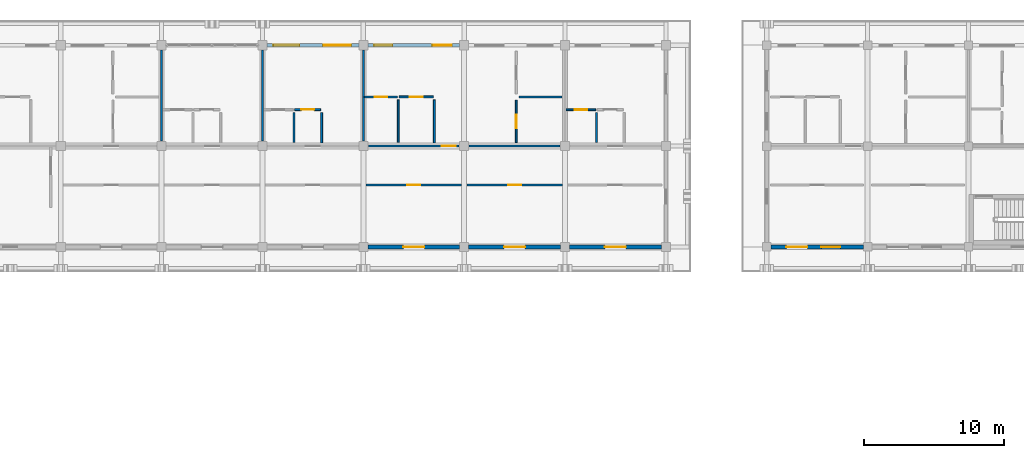
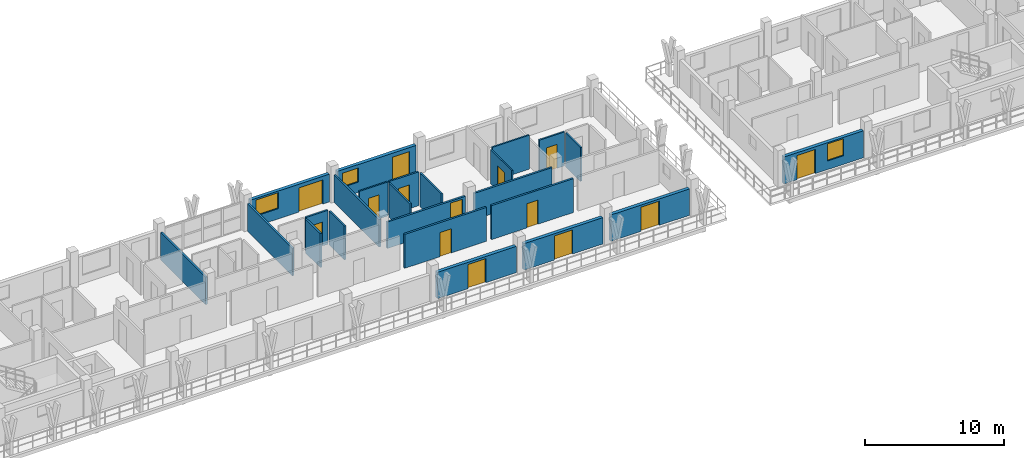
# One storey, part 49 of 76: 24 walls, 14 doors, 3 windows, 17 openings.
"""IFC4 building model written with IfcOpenShell, lengths in metres."""

from ifc_helpers import new_model, si_unit, direction, frame, frame_2d, origin, place, context, subcontext, project, spatial, rectangle, extrude, material, layer, layer_set, type_object, element, fill, save


model = new_model("IFC4")

# Units and contexts
model_context = context("Model", 3, precision=1e-05, world=origin(), true_north=direction((0.0, 1.0)))
body_context = subcontext(model_context, "Body", "Model", "MODEL_VIEW")
ifc_project = project(units=[si_unit("LENGTHUNIT", "METRE"), si_unit("AREAUNIT", "SQUARE_METRE"), si_unit("VOLUMEUNIT", "CUBIC_METRE"), si_unit("PLANEANGLEUNIT", "RADIAN"), si_unit("MASSUNIT", "GRAM", prefix="KILO")], contexts=[model_context])

# Site, building, storey
site_placement = place(None, origin())
site = spatial("IfcSite", under=ifc_project, at=site_placement, CompositionType="ELEMENT")
building_placement = place(site_placement, origin())
building = spatial("IfcBuilding", under=site, at=building_placement, Name="Suanplinth Sawtooth Commons", CompositionType="ELEMENT")
storey_placement = place(building_placement, frame((0.0, 0.0, 12.199951171875)))
storey = spatial("IfcBuildingStorey", under=building, at=storey_placement, Name="L03", CompositionType="ELEMENT", Elevation=12.199951171875)

# Wall, openings, door, window
ifc_material_1 = material(Name="Precast concrete C40/50", Category="concrete")
ifc_layer_1 = layer(ifc_material_1, 0.280029296875, Name="Insulated precast architectural facade wall 280mm")
ifc_layer_set_1 = layer_set([ifc_layer_1], Name="Precast concrete C40/50")
wall_type_1 = type_object("IfcWallType", Name="W-EX01", PredefinedType="ELEMENTEDWALL", material=ifc_layer_set_1)
wall_1_placement = place(storey_placement, frame((86.72509765625, 122.39990234375, 0.0), z_axis=(0.0, 0.0, 1.0), x_axis=(1.0, 0.0, 0.0)))
wall_1 = element("IfcWall", 1, at=wall_1_placement, inside=storey, type_object=wall_type_1, Name="Facade Wall W-L03-A-N-12", PredefinedType="ELEMENTEDWALL", context=body_context, shape_type="SweptSolid", body=[
    extrude(rectangle(XDim=6.5498046875, YDim=0.280029296875, at=frame_2d((3.27490234375, 0.0))), origin(), (0.0, 0.0, 1.0), 2.445068359375),
])
opening_1_placement = place(wall_1_placement, frame((4.0, 0.0, 0.0)))
opening_1 = element("IfcOpeningElement", 2, at=opening_1_placement, cuts=wall_1, Name="Opening ED0235", PredefinedType="OPENING", context=body_context, shape_type="SweptSolid", body=[
    extrude(rectangle(XDim=2.0, YDim=2.1201171875, at=frame_2d((1.0, 1.06005859375))), frame((0.0, 0.15478515625, 0.0), z_axis=(0.0, -1.0, 0.0), x_axis=(1.0, 0.0, 0.0)), (0.0, 0.0, 1.0), 0.309814453125),
])
opening_2_placement = place(wall_1_placement, frame((0.449951171875, 0.0, 0.89990234375)))
opening_2 = element("IfcOpeningElement", 3, at=opening_2_placement, cuts=wall_1, Name="Opening W0344", PredefinedType="OPENING", context=body_context, shape_type="SweptSolid", body=[
    extrude(rectangle(XDim=1.85009765625, YDim=1.39990234375, at=frame_2d((0.925048828125, 0.699951171875))), frame((0.0, 0.15478515625, 0.0), z_axis=(0.0, -1.0, 0.0), x_axis=(1.0, 0.0, 0.0)), (0.0, 0.0, 1.0), 0.309814453125),
])
ifc_material_2 = material(Name="Anodized aluminium and low-E glass", Category="aluminium")
door_type_1 = type_object("IfcDoorType", Name="SD-06", OperationType="DOUBLE_DOOR_SLIDING", PredefinedType="DOOR", material=ifc_material_2)
door_1_placement = place(opening_1_placement, frame((2.0, 0.0, 0.0), z_axis=(0.0, 0.0, 1.0), x_axis=(-1.0, 0.0, 0.0)))
door_1 = element("IfcDoor", 4, at=door_1_placement, inside=storey, type_object=door_type_1, Name="Balcony Sliding Door L03-A-N-12", OperationType="DOUBLE_DOOR_SLIDING", OverallHeight=2.1201171875, OverallWidth=2.0, PredefinedType="DOOR", context=body_context, shape_type="SweptSolid", body=[
    extrude(rectangle(XDim=2.0, YDim=2.1201171875, at=frame_2d((1.0, 1.06005859375))), frame((0.0, 0.02490234375, 0.0), z_axis=(0.0, -1.0, 0.0), x_axis=(1.0, 0.0, 0.0)), (0.0, 0.0, 1.0), 0.050048828125),
])
fill(opening_1, door_1)
ifc_material_3 = material(Name="Thermally broken aluminium and low-E double glazing", Category="aluminium")
window_type_1 = type_object("IfcWindowType", Name="WN-23", PartitioningType="DOUBLE_PANEL_VERTICAL", PredefinedType="WINDOW", material=ifc_material_3)
window_1_placement = place(opening_2_placement, origin())
window_1 = element("IfcWindow", 5, at=window_1_placement, inside=storey, type_object=window_type_1, Name="Window L03-A-N-12", OverallHeight=1.39990234375, OverallWidth=1.85009765625, PartitioningType="DOUBLE_PANEL_VERTICAL", PredefinedType="WINDOW", context=body_context, shape_type="SweptSolid", body=[
    extrude(rectangle(XDim=1.85009765625, YDim=1.39990234375, at=frame_2d((0.925048828125, 0.699951171875))), frame((0.0, 0.030029296875, 0.0), z_axis=(0.0, -1.0, 0.0), x_axis=(1.0, 0.0, 0.0)), (0.0, 0.0, 1.0), 0.06005859375),
])
fill(opening_2, window_1)

wall_2_placement = place(storey_placement, frame((93.925048828125, 122.39990234375, 0.0), z_axis=(0.0, 0.0, 1.0), x_axis=(1.0, 0.0, 0.0)))
wall_2 = element("IfcWall", 6, at=wall_2_placement, inside=storey, type_object=wall_type_1, Name="Facade Wall W-L03-A-N-13", PredefinedType="ELEMENTEDWALL", context=body_context, shape_type="SweptSolid", body=[
    extrude(rectangle(XDim=6.550048828125, YDim=0.280029296875, at=frame_2d((3.27490234375, 0.0))), origin(), (0.0, 0.0, 1.0), 2.445068359375),
])
opening_3_placement = place(wall_2_placement, frame((4.60009765625, 0.0, 0.0)))
opening_3 = element("IfcOpeningElement", 7, at=opening_3_placement, cuts=wall_2, Name="Opening ED0237", PredefinedType="OPENING", context=body_context, shape_type="SweptSolid", body=[
    extrude(rectangle(XDim=1.39990234375, YDim=2.10009765625, at=frame_2d((0.699951171875, 1.050048828125))), frame((0.0, 0.15478515625, 0.0), z_axis=(0.0, -1.0, 0.0), x_axis=(1.0, 0.0, 0.0)), (0.0, 0.0, 1.0), 0.309814453125),
])
opening_4_placement = place(wall_2_placement, frame((0.449951171875, 0.0, 0.89990234375)))
opening_4 = element("IfcOpeningElement", 8, at=opening_4_placement, cuts=wall_2, Name="Opening W0345", PredefinedType="OPENING", context=body_context, shape_type="SweptSolid", body=[
    extrude(rectangle(XDim=1.300048828125, YDim=1.25, at=frame_2d((0.64990234375, 0.625))), frame((0.0, 0.15478515625, 0.0), z_axis=(0.0, -1.0, 0.0), x_axis=(1.0, 0.0, 0.0)), (0.0, 0.0, 1.0), 0.309814453125),
])
door_type_2 = type_object("IfcDoorType", Name="SD-07", OperationType="SLIDING_TO_RIGHT", PredefinedType="DOOR", material=ifc_material_2)
door_2_placement = place(opening_3_placement, frame((1.39990234375, 0.0, 0.0), z_axis=(0.0, 0.0, 1.0), x_axis=(-1.0, 0.0, 0.0)))
door_2 = element("IfcDoor", 9, at=door_2_placement, inside=storey, type_object=door_type_2, Name="Balcony Sliding Door L03-A-N-13", OperationType="SLIDING_TO_RIGHT", OverallHeight=2.10009765625, OverallWidth=1.39990234375, PredefinedType="DOOR", context=body_context, shape_type="SweptSolid", body=[
    extrude(rectangle(XDim=1.39990234375, YDim=2.10009765625, at=frame_2d((0.699951171875, 1.050048828125))), frame((0.0, 0.02490234375, 0.0), z_axis=(0.0, -1.0, 0.0), x_axis=(1.0, 0.0, 0.0)), (0.0, 0.0, 1.0), 0.050048828125),
])
fill(opening_3, door_2)
window_type_2 = type_object("IfcWindowType", Name="WN-24", PartitioningType="SINGLE_PANEL", PredefinedType="WINDOW", material=ifc_material_3)
window_2_placement = place(opening_4_placement, origin())
window_2 = element("IfcWindow", 10, at=window_2_placement, inside=storey, type_object=window_type_2, Name="Window L03-A-N-13", OverallHeight=1.25, OverallWidth=1.300048828125, PartitioningType="SINGLE_PANEL", PredefinedType="WINDOW", context=body_context, shape_type="SweptSolid", body=[
    extrude(rectangle(XDim=1.300048828125, YDim=1.25, at=frame_2d((0.64990234375, 0.625))), frame((0.0, 0.030029296875, 0.0), z_axis=(0.0, -1.0, 0.0), x_axis=(1.0, 0.0, 0.0)), (0.0, 0.0, 1.0), 0.06005859375),
])
fill(opening_4, window_2)

# Wall, opening, door
wall_3_placement = place(storey_placement, frame((93.925048828125, 108.0, 0.0), z_axis=(0.0, 0.0, 1.0), x_axis=(1.0, 0.0, 0.0)))
wall_3 = element("IfcWall", 11, at=wall_3_placement, inside=storey, type_object=wall_type_1, Name="Courtyard Wall W-L03-A-S-13", PredefinedType="ELEMENTEDWALL", context=body_context, shape_type="SweptSolid", body=[
    extrude(rectangle(XDim=6.550048828125, YDim=0.280029296875, at=frame_2d((3.27490234375, 0.0))), origin(), (0.0, 0.0, 1.0), 2.31494140625),
])
opening_5_placement = place(wall_3_placement, frame((2.52490234375, 0.0, 0.0)))
opening_5 = element("IfcOpeningElement", 12, at=opening_5_placement, cuts=wall_3, Name="Opening ED0238", PredefinedType="OPENING", context=body_context, shape_type="SweptSolid", body=[
    extrude(rectangle(XDim=1.5, YDim=2.1201171875, at=frame_2d((0.75, 1.06005859375))), frame((0.0, 0.15478515625, 0.0), z_axis=(0.0, -1.0, 0.0), x_axis=(1.0, 0.0, 0.0)), (0.0, 0.0, 1.0), 0.309814453125),
])
door_type_3 = type_object("IfcDoorType", Name="SD-03", OperationType="SLIDING_TO_LEFT", PredefinedType="DOOR", material=ifc_material_2)
door_3_placement = place(opening_5_placement, frame((1.5, 0.0, 0.0), z_axis=(0.0, 0.0, 1.0), x_axis=(-1.0, 0.0, 0.0)))
door_3 = element("IfcDoor", 13, at=door_3_placement, inside=storey, type_object=door_type_3, Name="Courtyard Balcony Sliding Door L03-A-S-13", OperationType="SLIDING_TO_LEFT", OverallHeight=2.1201171875, OverallWidth=1.5, PredefinedType="DOOR", context=body_context, shape_type="SweptSolid", body=[
    extrude(rectangle(XDim=1.5, YDim=2.1201171875, at=frame_2d((0.75, 1.06005859375))), frame((0.0, 0.02490234375, 0.0), z_axis=(0.0, -1.0, 0.0), x_axis=(1.0, 0.0, 0.0)), (0.0, 0.0, 1.0), 0.050048828125),
])
fill(opening_5, door_3)

wall_4_placement = place(storey_placement, frame((101.125, 108.0, 0.0), z_axis=(0.0, 0.0, 1.0), x_axis=(1.0, 0.0, 0.0)))
wall_4 = element("IfcWall", 14, at=wall_4_placement, inside=storey, type_object=wall_type_1, Name="Courtyard Wall W-L03-A-S-14", PredefinedType="ELEMENTEDWALL", context=body_context, shape_type="SweptSolid", body=[
    extrude(rectangle(XDim=6.550048828125, YDim=0.280029296875, at=frame_2d((3.27490234375, 0.0))), origin(), (0.0, 0.0, 1.0), 2.31494140625),
])
opening_6_placement = place(wall_4_placement, frame((2.52490234375, 0.0, 0.0)))
opening_6 = element("IfcOpeningElement", 15, at=opening_6_placement, cuts=wall_4, Name="Opening ED0240", PredefinedType="OPENING", context=body_context, shape_type="SweptSolid", body=[
    extrude(rectangle(XDim=1.5, YDim=2.1201171875, at=frame_2d((0.75, 1.06005859375))), frame((0.0, 0.15478515625, 0.0), z_axis=(0.0, -1.0, 0.0), x_axis=(1.0, 0.0, 0.0)), (0.0, 0.0, 1.0), 0.309814453125),
])
door_4_placement = place(opening_6_placement, frame((1.5, 0.0, 0.0), z_axis=(0.0, 0.0, 1.0), x_axis=(-1.0, 0.0, 0.0)))
door_4 = element("IfcDoor", 16, at=door_4_placement, inside=storey, type_object=door_type_3, Name="Courtyard Balcony Sliding Door L03-A-S-14", OperationType="SLIDING_TO_LEFT", OverallHeight=2.1201171875, OverallWidth=1.5, PredefinedType="DOOR", context=body_context, shape_type="SweptSolid", body=[
    extrude(rectangle(XDim=1.5, YDim=2.1201171875, at=frame_2d((0.75, 1.06005859375))), frame((0.0, 0.02490234375, 0.0), z_axis=(0.0, -1.0, 0.0), x_axis=(1.0, 0.0, 0.0)), (0.0, 0.0, 1.0), 0.050048828125),
])
fill(opening_6, door_4)

wall_5_placement = place(storey_placement, frame((108.324951171875, 108.0, 0.0), z_axis=(0.0, 0.0, 1.0), x_axis=(1.0, 0.0, 0.0)))
wall_5 = element("IfcWall", 17, at=wall_5_placement, inside=storey, type_object=wall_type_1, Name="Courtyard Wall W-L03-A-S-15", PredefinedType="ELEMENTEDWALL", context=body_context, shape_type="SweptSolid", body=[
    extrude(rectangle(XDim=6.550048828125, YDim=0.280029296875, at=frame_2d((3.27490234375, 0.0))), origin(), (0.0, 0.0, 1.0), 2.31494140625),
])
opening_7_placement = place(wall_5_placement, frame((2.52490234375, 0.0, 0.0)))
opening_7 = element("IfcOpeningElement", 18, at=opening_7_placement, cuts=wall_5, Name="Opening ED0242", PredefinedType="OPENING", context=body_context, shape_type="SweptSolid", body=[
    extrude(rectangle(XDim=1.5, YDim=2.1201171875, at=frame_2d((0.75, 1.06005859375))), frame((0.0, 0.15478515625, 0.0), z_axis=(0.0, -1.0, 0.0), x_axis=(1.0, 0.0, 0.0)), (0.0, 0.0, 1.0), 0.309814453125),
])
door_5_placement = place(opening_7_placement, frame((1.5, 0.0, 0.0), z_axis=(0.0, 0.0, 1.0), x_axis=(-1.0, 0.0, 0.0)))
door_5 = element("IfcDoor", 19, at=door_5_placement, inside=storey, type_object=door_type_3, Name="Courtyard Balcony Sliding Door L03-A-S-15", OperationType="SLIDING_TO_LEFT", OverallHeight=2.1201171875, OverallWidth=1.5, PredefinedType="DOOR", context=body_context, shape_type="SweptSolid", body=[
    extrude(rectangle(XDim=1.5, YDim=2.1201171875, at=frame_2d((0.75, 1.06005859375))), frame((0.0, 0.02490234375, 0.0), z_axis=(0.0, -1.0, 0.0), x_axis=(1.0, 0.0, 0.0)), (0.0, 0.0, 1.0), 0.050048828125),
])
fill(opening_7, door_5)

# Wall, openings, door, window
wall_6_placement = place(storey_placement, frame((122.699951171875, 108.0, 0.0), z_axis=(0.0, 0.0, 1.0), x_axis=(1.0, 0.0, 0.0)))
wall_6 = element("IfcWall", 20, at=wall_6_placement, inside=storey, type_object=wall_type_1, Name="Facade Wall W-L03-B-S-17-15", PredefinedType="ELEMENTEDWALL", context=body_context, shape_type="SweptSolid", body=[
    extrude(rectangle(XDim=6.60009765625, YDim=0.280029296875, at=frame_2d((3.300048828125, 0.0))), origin(), (0.0, 0.0, 1.0), 2.364990234375),
])
opening_8_placement = place(wall_6_placement, frame((1.10009765625, 0.0, 0.0)))
opening_8 = element("IfcOpeningElement", 21, at=opening_8_placement, cuts=wall_6, Name="Opening ED0245", PredefinedType="OPENING", context=body_context, shape_type="SweptSolid", body=[
    extrude(rectangle(XDim=1.5, YDim=2.1201171875, at=frame_2d((0.75, 1.06005859375))), frame((0.0, 0.15478515625, 0.0), z_axis=(0.0, -1.0, 0.0), x_axis=(1.0, 0.0, 0.0)), (0.0, 0.0, 1.0), 0.309814453125),
])
opening_9_placement = place(wall_6_placement, frame((3.60009765625, 0.0, 0.7548828125)))
opening_9 = element("IfcOpeningElement", 22, at=opening_9_placement, cuts=wall_6, Name="Opening W0350", PredefinedType="OPENING", context=body_context, shape_type="SweptSolid", body=[
    extrude(rectangle(XDim=1.35009765625, YDim=1.5, at=frame_2d((0.675048828125, 0.75))), frame((0.0, 0.15478515625, 0.0), z_axis=(0.0, -1.0, 0.0), x_axis=(1.0, 0.0, 0.0)), (0.0, 0.0, 1.0), 0.309814453125),
])
door_6_placement = place(opening_8_placement, frame((1.5, 0.0, 0.0), z_axis=(0.0, 0.0, 1.0), x_axis=(-1.0, 0.0, 0.0)))
door_6 = element("IfcDoor", 23, at=door_6_placement, inside=storey, type_object=door_type_3, Name="Courtyard Balcony Door L03-B-17", OperationType="SLIDING_TO_LEFT", OverallHeight=2.1201171875, OverallWidth=1.5, PredefinedType="DOOR", context=body_context, shape_type="SweptSolid", body=[
    extrude(rectangle(XDim=1.5, YDim=2.1201171875, at=frame_2d((0.75, 1.06005859375))), frame((0.0, 0.02490234375, 0.0), z_axis=(0.0, -1.0, 0.0), x_axis=(1.0, 0.0, 0.0)), (0.0, 0.0, 1.0), 0.050048828125),
])
fill(opening_8, door_6)
window_type_3 = type_object("IfcWindowType", Name="WN-14", PartitioningType="SINGLE_PANEL", PredefinedType="WINDOW", material=ifc_material_3)
window_3_placement = place(opening_9_placement, origin())
window_3 = element("IfcWindow", 24, at=window_3_placement, inside=storey, type_object=window_type_3, Name="Courtyard Window L03-B-17", OverallHeight=1.5, OverallWidth=1.35009765625, PartitioningType="SINGLE_PANEL", PredefinedType="WINDOW", context=body_context, shape_type="SweptSolid", body=[
    extrude(rectangle(XDim=1.35009765625, YDim=1.5, at=frame_2d((0.675048828125, 0.75))), frame((0.0, 0.030029296875, 0.0), z_axis=(0.0, -1.0, 0.0), x_axis=(1.0, 0.0, 0.0)), (0.0, 0.0, 1.0), 0.06005859375),
])
fill(opening_9, window_3)

# Wall, opening, door
ifc_layer_2 = layer(ifc_material_1, 0.159912109375, Name="Fire-rated corridor and lobby wall 160mm")
ifc_layer_set_2 = layer_set([ifc_layer_2], Name="Precast concrete C40/50")
wall_type_2 = type_object("IfcWallType", Name="W-FW01", PredefinedType="PARTITIONING", material=ifc_layer_set_2)
wall_7_placement = place(storey_placement, frame((93.955078125, 115.199951171875, 0.0), z_axis=(0.0, 0.0, 1.0), x_axis=(1.0, 0.0, 0.0)))
wall_7 = element("IfcWall", 25, at=wall_7_placement, inside=storey, type_object=wall_type_2, Name="W-A-L03-U11-COR-S1", PredefinedType="PARTITIONING", context=body_context, shape_type="SweptSolid", body=[
    extrude(rectangle(XDim=6.489990234375, YDim=0.159912109375, at=frame_2d((3.2451171875, 0.0))), origin(), (0.0, 0.0, 1.0), 2.31494140625),
])
opening_10_placement = place(wall_7_placement, frame((5.2451171875, 0.0, 0.0)))
opening_10 = element("IfcOpeningElement", 26, at=opening_10_placement, cuts=wall_7, Name="Opening FD0902", PredefinedType="OPENING", context=body_context, shape_type="SweptSolid", body=[
    extrude(rectangle(XDim=1.0, YDim=2.14990234375, at=frame_2d((0.5, 1.074951171875))), frame((0.0, 0.0947265625, 0.0), z_axis=(0.0, -1.0, 0.0), x_axis=(1.0, 0.0, 0.0)), (0.0, 0.0, 1.0), 0.189697265625),
])
ifc_material_4 = material(Name="Teak hardwood fire-rated door assembly", Category="wood")
door_type_4 = type_object("IfcDoorType", Name="FD-03", OperationType="NOTDEFINED", PredefinedType="DOOR", material=ifc_material_4)
door_7_placement = place(opening_10_placement, origin())
door_7 = element("IfcDoor", 27, at=door_7_placement, inside=storey, type_object=door_type_4, Name="Unit Entrance Door FD0902", OperationType="SINGLE_SWING_RIGHT", OverallHeight=2.14990234375, OverallWidth=1.0, PredefinedType="DOOR", context=body_context, shape_type="SweptSolid", body=[
    extrude(rectangle(XDim=1.0, YDim=2.14990234375, at=frame_2d((0.5, 1.074951171875))), frame((0.0, 0.02490234375, 0.0), z_axis=(0.0, -1.0, 0.0), x_axis=(1.0, 0.0, 0.0)), (0.0, 0.0, 1.0), 0.050048828125),
])
fill(opening_10, door_7)

# Wall
wall_8_placement = place(storey_placement, frame((101.155029296875, 115.199951171875, 0.0), z_axis=(0.0, 0.0, 1.0), x_axis=(1.0, 0.0, 0.0)))
element("IfcWall", 28, at=wall_8_placement, inside=storey, type_object=wall_type_2, Name="W-A-L03-U11-COR-S2", PredefinedType="PARTITIONING", context=body_context, shape_type="SweptSolid", body=[
    extrude(rectangle(XDim=6.489990234375, YDim=0.159912109375, at=frame_2d((3.2451171875, 0.0))), origin(), (0.0, 0.0, 1.0), 2.31494140625),
])

# Wall, opening, door
wall_9_placement = place(storey_placement, frame((93.800048828125, 112.419921875, 0.0), z_axis=(0.0, 0.0, 1.0), x_axis=(1.0, 0.0, 0.0)))
wall_9 = element("IfcWall", 29, at=wall_9_placement, inside=storey, type_object=wall_type_2, Name="W-A-L03-COURTROOM-21-COR", PredefinedType="PARTITIONING", context=body_context, shape_type="SweptSolid", body=[
    extrude(rectangle(XDim=6.800048828125, YDim=0.159912109375, at=frame_2d((3.39990234375, 0.0))), origin(), (0.0, 0.0, 1.0), 2.97998046875),
])
opening_11_placement = place(wall_9_placement, frame((2.929931640625, 0.0, 0.0)))
opening_11 = element("IfcOpeningElement", 30, at=opening_11_placement, cuts=wall_9, Name="Opening D0919", PredefinedType="OPENING", context=body_context, shape_type="SweptSolid", body=[
    extrude(rectangle(XDim=0.93994140625, YDim=2.1201171875, at=frame_2d((0.469970703125, 1.06005859375))), frame((0.0, 0.0947265625, 0.0), z_axis=(0.0, -1.0, 0.0), x_axis=(1.0, 0.0, 0.0)), (0.0, 0.0, 1.0), 0.189697265625),
])
ifc_material_5 = material(Name="Teak hardwood", Category="wood")
door_type_5 = type_object("IfcDoorType", Name="D-15", OperationType="NOTDEFINED", PredefinedType="DOOR", material=ifc_material_5)
door_8_placement = place(opening_11_placement, frame((0.93994140625, 0.0, 0.0), z_axis=(0.0, 0.0, 1.0), x_axis=(-1.0, 0.0, 0.0)))
door_8 = element("IfcDoor", 31, at=door_8_placement, inside=storey, type_object=door_type_5, Name="Study Studio Door D0919", OperationType="SINGLE_SWING_LEFT", OverallHeight=2.1201171875, OverallWidth=0.93994140625, PredefinedType="DOOR", context=body_context, shape_type="SweptSolid", body=[
    extrude(rectangle(XDim=0.93994140625, YDim=2.1201171875, at=frame_2d((0.469970703125, 1.06005859375))), frame((0.0, 0.02490234375, 0.0), z_axis=(0.0, -1.0, 0.0), x_axis=(1.0, 0.0, 0.0)), (0.0, 0.0, 1.0), 0.050048828125),
])
fill(opening_11, door_8)

wall_10_placement = place(storey_placement, frame((101.0, 112.419921875, 0.0), z_axis=(0.0, 0.0, 1.0), x_axis=(1.0, 0.0, 0.0)))
wall_10 = element("IfcWall", 32, at=wall_10_placement, inside=storey, type_object=wall_type_2, Name="W-A-L03-COURTROOM-22-COR", PredefinedType="PARTITIONING", context=body_context, shape_type="SweptSolid", body=[
    extrude(rectangle(XDim=6.800048828125, YDim=0.159912109375, at=frame_2d((3.39990234375, 0.0))), origin(), (0.0, 0.0, 1.0), 2.97998046875),
])
opening_12_placement = place(wall_10_placement, frame((2.929931640625, 0.0, 0.0)))
opening_12 = element("IfcOpeningElement", 33, at=opening_12_placement, cuts=wall_10, Name="Opening D0920", PredefinedType="OPENING", context=body_context, shape_type="SweptSolid", body=[
    extrude(rectangle(XDim=0.93994140625, YDim=2.1201171875, at=frame_2d((0.469970703125, 1.06005859375))), frame((0.0, 0.0947265625, 0.0), z_axis=(0.0, -1.0, 0.0), x_axis=(1.0, 0.0, 0.0)), (0.0, 0.0, 1.0), 0.189697265625),
])
door_9_placement = place(opening_12_placement, frame((0.93994140625, 0.0, 0.0), z_axis=(0.0, 0.0, 1.0), x_axis=(-1.0, 0.0, 0.0)))
door_9 = element("IfcDoor", 34, at=door_9_placement, inside=storey, type_object=door_type_5, Name="Study Studio Door D0920", OperationType="SINGLE_SWING_RIGHT", OverallHeight=2.1201171875, OverallWidth=0.93994140625, PredefinedType="DOOR", context=body_context, shape_type="SweptSolid", body=[
    extrude(rectangle(XDim=0.93994140625, YDim=2.1201171875, at=frame_2d((0.469970703125, 1.06005859375))), frame((0.0, 0.02490234375, 0.0), z_axis=(0.0, -1.0, 0.0), x_axis=(1.0, 0.0, 0.0)), (0.0, 0.0, 1.0), 0.050048828125),
])
fill(opening_12, door_9)

# Walls
ifc_layer_3 = layer(ifc_material_1, 0.14990234375, Name="Acoustic precast party demising wall 150mm")
ifc_layer_set_3 = layer_set([ifc_layer_3], Name="Precast concrete C40/50")
wall_type_3 = type_object("IfcWallType", Name="W-FW02", PredefinedType="PARTITIONING", material=ifc_layer_set_3)
for number, where, z_axis, x_axis, name in (
    (35, (79.199951171875, 115.554931640625, 0.0), (0.0, 0.0, 1.0), (0.0, 1.0, 0.0), "W-A-L03-U08-PTY"),
    (36, (86.39990234375, 115.554931640625, 0.0), (0.0, 0.0, 1.0), (0.0, 1.0, 0.0), "W-A-L03-U09-PTY"),
    (37, (93.60009765625, 115.554931640625, 0.0), (0.0, 0.0, 1.0), (0.0, 1.0, 0.0), "W-A-L03-U10-PTY"),
):
    element("IfcWall", number, at=place(storey_placement, frame(where, z_axis=z_axis, x_axis=x_axis)), inside=storey, type_object=wall_type_3, Name=name, PredefinedType="PARTITIONING", context=body_context, shape_type="SweptSolid", body=[
        extrude(rectangle(XDim=6.489990234375, YDim=0.14990234375, at=frame_2d((3.2451171875, 0.0))), origin(), (0.0, 0.0, 1.0), 2.4150390625),
    ])

# Wall, opening, door
ifc_material_6 = material(Name="Gypsum plasterboard on steel stud", Category="steel")
ifc_layer_4 = layer(ifc_material_6, 0.139892578125, Name="Fire-rated kitchen partition 140mm")
ifc_layer_set_4 = layer_set([ifc_layer_4], Name="Gypsum plasterboard on steel stud")
wall_type_4 = type_object("IfcWallType", Name="W-PT01", PredefinedType="PARTITIONING", material=ifc_layer_set_4)
wall_11_placement = place(storey_placement, frame((88.699951171875, 117.800048828125, 0.0), z_axis=(0.0, 0.0, 1.0), x_axis=(1.0, 0.0, 0.0)))
wall_11 = element("IfcWall", 38, at=wall_11_placement, inside=storey, type_object=wall_type_4, Name="W-A-L03-U10-KIT1", PredefinedType="PARTITIONING", context=body_context, shape_type="SweptSolid", body=[
    extrude(rectangle(XDim=1.85009765625, YDim=0.139892578125, at=frame_2d((0.925048828125, 0.0))), origin(), (0.0, 0.0, 1.0), 2.97998046875),
])
opening_13_placement = place(wall_11_placement, frame((0.465087890625, 0.0, 0.0)))
opening_13 = element("IfcOpeningElement", 39, at=opening_13_placement, cuts=wall_11, Name="Opening D0901", PredefinedType="OPENING", context=body_context, shape_type="SweptSolid", body=[
    extrude(rectangle(XDim=0.919921875, YDim=2.10009765625, at=frame_2d((0.4599609375, 1.050048828125))), frame((0.0, 0.0849609375, 0.0), z_axis=(0.0, -1.0, 0.0), x_axis=(1.0, 0.0, 0.0)), (0.0, 0.0, 1.0), 0.169677734375),
])
door_type_6 = type_object("IfcDoorType", Name="D-02", OperationType="NOTDEFINED", PredefinedType="DOOR", material=ifc_material_5)
door_10_placement = place(opening_13_placement, frame((0.919921875, 0.0, 0.0), z_axis=(0.0, 0.0, 1.0), x_axis=(-1.0, 0.0, 0.0)))
door_10 = element("IfcDoor", 40, at=door_10_placement, inside=storey, type_object=door_type_6, Name="Kitchen Door D0901", OperationType="SINGLE_SWING_LEFT", OverallHeight=2.10009765625, OverallWidth=0.919921875, PredefinedType="DOOR", context=body_context, shape_type="SweptSolid", body=[
    extrude(rectangle(XDim=0.919921875, YDim=2.10009765625, at=frame_2d((0.4599609375, 1.050048828125))), frame((0.0, 0.02490234375, 0.0), z_axis=(0.0, -1.0, 0.0), x_axis=(1.0, 0.0, 0.0)), (0.0, 0.0, 1.0), 0.050048828125),
])
fill(opening_13, door_10)

# Wall
wall_12_placement = place(storey_placement, frame((90.6201171875, 115.429931640625, 0.0), z_axis=(0.0, 0.0, 1.0), x_axis=(0.0, 1.0, 0.0)))
element("IfcWall", 41, at=wall_12_placement, inside=storey, type_object=wall_type_4, Name="W-A-L03-U10-KIT2", PredefinedType="PARTITIONING", context=body_context, shape_type="SweptSolid", body=[
    extrude(rectangle(XDim=2.150146484375, YDim=0.139892578125, at=frame_2d((1.0751953125, 0.0))), origin(), (0.0, 0.0, 1.0), 2.97998046875),
])

# Wall, opening, door
wall_13_placement = place(storey_placement, frame((96.14990234375, 118.7099609375, 0.0), z_axis=(0.0, 0.0, 1.0), x_axis=(1.0, 0.0, 0.0)))
wall_13 = element("IfcWall", 42, at=wall_13_placement, inside=storey, type_object=wall_type_4, Name="W-A-L03-U11-KIT1", PredefinedType="PARTITIONING", context=body_context, shape_type="SweptSolid", body=[
    extrude(rectangle(XDim=2.4501953125, YDim=0.139892578125, at=frame_2d((1.22509765625, 0.0))), origin(), (0.0, 0.0, 1.0), 2.97998046875),
])
opening_14_placement = place(wall_13_placement, frame((0.764892578125, 0.0, 0.0)))
opening_14 = element("IfcOpeningElement", 43, at=opening_14_placement, cuts=wall_13, Name="Opening D0904", PredefinedType="OPENING", context=body_context, shape_type="SweptSolid", body=[
    extrude(rectangle(XDim=0.919921875, YDim=2.10009765625, at=frame_2d((0.4599609375, 1.050048828125))), frame((0.0, 0.0849609375, 0.0), z_axis=(0.0, -1.0, 0.0), x_axis=(1.0, 0.0, 0.0)), (0.0, 0.0, 1.0), 0.169677734375),
])
door_11_placement = place(opening_14_placement, frame((0.919921875, 0.0, 0.0), z_axis=(0.0, 0.0, 1.0), x_axis=(-1.0, 0.0, 0.0)))
door_11 = element("IfcDoor", 44, at=door_11_placement, inside=storey, type_object=door_type_6, Name="Kitchen Door D0904", OperationType="SINGLE_SWING_RIGHT", OverallHeight=2.10009765625, OverallWidth=0.919921875, PredefinedType="DOOR", context=body_context, shape_type="SweptSolid", body=[
    extrude(rectangle(XDim=0.919921875, YDim=2.10009765625, at=frame_2d((0.4599609375, 1.050048828125))), frame((0.0, 0.02490234375, 0.0), z_axis=(0.0, -1.0, 0.0), x_axis=(1.0, 0.0, 0.0)), (0.0, 0.0, 1.0), 0.050048828125),
])
fill(opening_14, door_11)

# Walls
wall_14_placement = place(storey_placement, frame((98.669921875, 115.429931640625, 0.0), z_axis=(0.0, 0.0, 1.0), x_axis=(0.0, 1.0, 0.0)))
element("IfcWall", 45, at=wall_14_placement, inside=storey, type_object=wall_type_4, Name="W-A-L03-U11-KIT2", PredefinedType="PARTITIONING", context=body_context, shape_type="SweptSolid", body=[
    extrude(rectangle(XDim=3.06005859375, YDim=0.139892578125, at=frame_2d((1.530029296875, 0.0))), origin(), (0.0, 0.0, 1.0), 2.97998046875),
])
ifc_layer_5 = layer(ifc_material_6, 0.1298828125, Name="Moisture-resistant bathroom partition 130mm")
ifc_layer_set_5 = layer_set([ifc_layer_5], Name="Gypsum plasterboard on steel stud")
wall_type_5 = type_object("IfcWallType", Name="W-PT02", PredefinedType="PARTITIONING", material=ifc_layer_set_5)
wall_15_placement = place(storey_placement, frame((88.64501953125, 115.4599609375, 0.0), z_axis=(0.0, 0.0, 1.0), x_axis=(0.0, 1.0, 0.0)))
element("IfcWall", 46, at=wall_15_placement, inside=storey, type_object=wall_type_5, Name="W-A-L03-U10-BTH2", PredefinedType="PARTITIONING", context=body_context, shape_type="SweptSolid", body=[
    extrude(rectangle(XDim=2.130126953125, YDim=0.1298828125, at=frame_2d((1.06494140625, 0.0))), origin(), (0.0, 0.0, 1.0), 2.97998046875),
])

# Wall, opening, door
wall_16_placement = place(storey_placement, frame((93.679931640625, 118.705078125, 0.0), z_axis=(0.0, 0.0, 1.0), x_axis=(1.0, 0.0, 0.0)))
wall_16 = element("IfcWall", 47, at=wall_16_placement, inside=storey, type_object=wall_type_5, Name="W-A-L03-U11-BTH1", PredefinedType="PARTITIONING", context=body_context, shape_type="SweptSolid", body=[
    extrude(rectangle(XDim=2.35009765625, YDim=0.1298828125, at=frame_2d((1.175048828125, 0.0))), origin(), (0.0, 0.0, 1.0), 2.97998046875),
])
opening_15_placement = place(wall_16_placement, frame((0.72509765625, 0.0, 0.0)))
opening_15 = element("IfcOpeningElement", 48, at=opening_15_placement, cuts=wall_16, Name="Opening D0903", PredefinedType="OPENING", context=body_context, shape_type="SweptSolid", body=[
    extrude(rectangle(XDim=0.89990234375, YDim=2.10009765625, at=frame_2d((0.449951171875, 1.050048828125))), frame((0.0, 0.079833984375, 0.0), z_axis=(0.0, -1.0, 0.0), x_axis=(1.0, 0.0, 0.0)), (0.0, 0.0, 1.0), 0.15966796875),
])
door_type_7 = type_object("IfcDoorType", Name="D-01", OperationType="NOTDEFINED", PredefinedType="DOOR", material=ifc_material_5)
door_12_placement = place(opening_15_placement, frame((0.89990234375, 0.0, 0.0), z_axis=(0.0, 0.0, 1.0), x_axis=(-1.0, 0.0, 0.0)))
door_12 = element("IfcDoor", 49, at=door_12_placement, inside=storey, type_object=door_type_7, Name="Bathroom Door D0903", OperationType="SINGLE_SWING_LEFT", OverallHeight=2.10009765625, OverallWidth=0.89990234375, PredefinedType="DOOR", context=body_context, shape_type="SweptSolid", body=[
    extrude(rectangle(XDim=0.89990234375, YDim=2.10009765625, at=frame_2d((0.449951171875, 1.050048828125))), frame((0.0, 0.02490234375, 0.0), z_axis=(0.0, -1.0, 0.0), x_axis=(1.0, 0.0, 0.0)), (0.0, 0.0, 1.0), 0.050048828125),
])
fill(opening_15, door_12)

# Wall
wall_17_placement = place(storey_placement, frame((96.094970703125, 115.4599609375, 0.0), z_axis=(0.0, 0.0, 1.0), x_axis=(0.0, 1.0, 0.0)))
element("IfcWall", 50, at=wall_17_placement, inside=storey, type_object=wall_type_5, Name="W-A-L03-U11-BTH2", PredefinedType="PARTITIONING", context=body_context, shape_type="SweptSolid", body=[
    extrude(rectangle(XDim=3.0400390625, YDim=0.1298828125, at=frame_2d((1.52001953125, 0.0))), origin(), (0.0, 0.0, 1.0), 2.97998046875),
])

# Wall, opening, door
wall_18_placement = place(storey_placement, frame((108.080078125, 117.794921875, 0.0), z_axis=(0.0, 0.0, 1.0), x_axis=(1.0, 0.0, 0.0)))
wall_18 = element("IfcWall", 51, at=wall_18_placement, inside=storey, type_object=wall_type_5, Name="W-A-L03-U12-BTH1", PredefinedType="PARTITIONING", context=body_context, shape_type="SweptSolid", body=[
    extrude(rectangle(XDim=2.099853515625, YDim=0.1298828125, at=frame_2d((1.0498046875, 0.0))), origin(), (0.0, 0.0, 1.0), 2.97998046875),
])
opening_16_placement = place(wall_18_placement, frame((0.610107421875, 0.0, 0.0)))
opening_16 = element("IfcOpeningElement", 52, at=opening_16_placement, cuts=wall_18, Name="Opening D0908", PredefinedType="OPENING", context=body_context, shape_type="SweptSolid", body=[
    extrude(rectangle(XDim=0.8798828125, YDim=2.10009765625, at=frame_2d((0.43994140625, 1.050048828125))), frame((0.0, 0.079833984375, 0.0), z_axis=(0.0, -1.0, 0.0), x_axis=(1.0, 0.0, 0.0)), (0.0, 0.0, 1.0), 0.15966796875),
])
door_type_8 = type_object("IfcDoorType", Name="D-14", OperationType="NOTDEFINED", PredefinedType="DOOR", material=ifc_material_5)
door_13_placement = place(opening_16_placement, frame((0.8798828125, 0.0, 0.0), z_axis=(0.0, 0.0, 1.0), x_axis=(-1.0, 0.0, 0.0)))
door_13 = element("IfcDoor", 53, at=door_13_placement, inside=storey, type_object=door_type_8, Name="Bathroom Door D0908", OperationType="SINGLE_SWING_RIGHT", OverallHeight=2.10009765625, OverallWidth=0.8798828125, PredefinedType="DOOR", context=body_context, shape_type="SweptSolid", body=[
    extrude(rectangle(XDim=0.8798828125, YDim=2.10009765625, at=frame_2d((0.43994140625, 1.050048828125))), frame((0.0, 0.02490234375, 0.0), z_axis=(0.0, -1.0, 0.0), x_axis=(1.0, 0.0, 0.0)), (0.0, 0.0, 1.0), 0.050048828125),
])
fill(opening_16, door_13)

# Wall
wall_19_placement = place(storey_placement, frame((110.2451171875, 115.4599609375, 0.0), z_axis=(0.0, 0.0, 1.0), x_axis=(0.0, 1.0, 0.0)))
element("IfcWall", 54, at=wall_19_placement, inside=storey, type_object=wall_type_5, Name="W-A-L03-U12-BTH2", PredefinedType="PARTITIONING", context=body_context, shape_type="SweptSolid", body=[
    extrude(rectangle(XDim=2.130126953125, YDim=0.1298828125, at=frame_2d((1.06494140625, 0.0))), origin(), (0.0, 0.0, 1.0), 2.97998046875),
])

# Wall, opening, door
ifc_layer_6 = layer(ifc_material_6, 0.1201171875, Name="Acoustic bedroom partition 120mm")
ifc_layer_set_6 = layer_set([ifc_layer_6], Name="Gypsum plasterboard on steel stud")
wall_type_6 = type_object("IfcWallType", Name="W-PT03", PredefinedType="PARTITIONING", material=ifc_layer_set_6)
wall_20_placement = place(storey_placement, frame((104.52001953125, 115.43994140625, 0.0), z_axis=(0.0, 0.0, 1.0), x_axis=(0.0, 1.0, 0.0)))
wall_20 = element("IfcWall", 55, at=wall_20_placement, inside=storey, type_object=wall_type_6, Name="W-A-L03-U11-BED2", PredefinedType="PARTITIONING", context=body_context, shape_type="SweptSolid", body=[
    extrude(rectangle(XDim=3.0400390625, YDim=0.1201171875, at=frame_2d((1.52001953125, 0.0))), origin(), (0.0, 0.0, 1.0), 2.97998046875),
])
opening_17_placement = place(wall_20_placement, frame((1.0400390625, 0.0, 0.0)))
opening_17 = element("IfcOpeningElement", 56, at=opening_17_placement, cuts=wall_20, Name="Opening D0906", PredefinedType="OPENING", context=body_context, shape_type="SweptSolid", body=[
    extrude(rectangle(XDim=0.9599609375, YDim=2.14990234375, at=frame_2d((0.47998046875, 1.074951171875))), frame((0.0, 0.074951171875, 0.0), z_axis=(0.0, -1.0, 0.0), x_axis=(1.0, 0.0, 0.0)), (0.0, 0.0, 1.0), 0.14990234375),
])
door_type_9 = type_object("IfcDoorType", Name="D-13", OperationType="NOTDEFINED", PredefinedType="DOOR", material=ifc_material_5)
door_14_placement = place(opening_17_placement, frame((0.9599609375, 0.0, 0.0), z_axis=(0.0, 0.0, 1.0), x_axis=(-1.0, 0.0, 0.0)))
door_14 = element("IfcDoor", 57, at=door_14_placement, inside=storey, type_object=door_type_9, Name="Second Bedroom Door D0906", OperationType="SINGLE_SWING_RIGHT", OverallHeight=2.14990234375, OverallWidth=0.9599609375, PredefinedType="DOOR", context=body_context, shape_type="SweptSolid", body=[
    extrude(rectangle(XDim=0.9599609375, YDim=2.14990234375, at=frame_2d((0.47998046875, 1.074951171875))), frame((0.0, 0.02490234375, 0.0), z_axis=(0.0, -1.0, 0.0), x_axis=(1.0, 0.0, 0.0)), (0.0, 0.0, 1.0), 0.050048828125),
])
fill(opening_17, door_14)

# Wall
ifc_layer_7 = layer(ifc_material_6, 0.125, Name="Acoustic study partition 125mm")
ifc_layer_set_7 = layer_set([ifc_layer_7], Name="Gypsum plasterboard on steel stud")
wall_type_7 = type_object("IfcWallType", Name="W-PT06", PredefinedType="PARTITIONING", material=ifc_layer_set_7)
wall_21_placement = place(storey_placement, frame((104.719970703125, 118.699951171875, 0.0), z_axis=(0.0, 0.0, 1.0), x_axis=(1.0, 0.0, 0.0)))
element("IfcWall", 58, at=wall_21_placement, inside=storey, type_object=wall_type_7, Name="W-A-L03-U11-BEDDIV", PredefinedType="PARTITIONING", context=body_context, shape_type="SweptSolid", body=[
    extrude(rectangle(XDim=3.06005859375, YDim=0.125, at=frame_2d((1.530029296875, 0.0))), origin(), (0.0, 0.0, 1.0), 2.97998046875),
])

save(model, "model.ifc")
